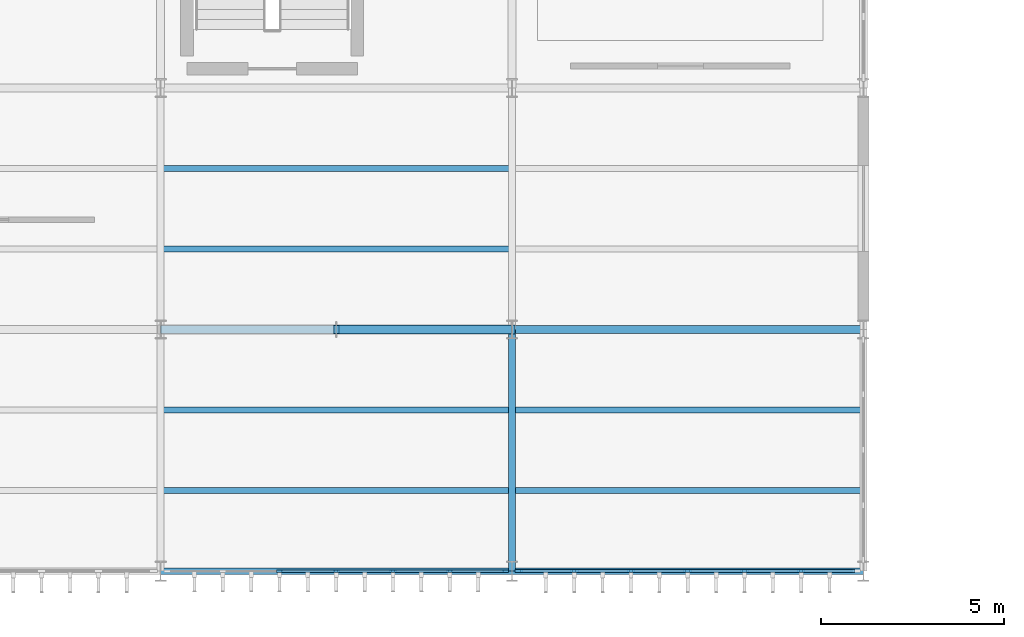
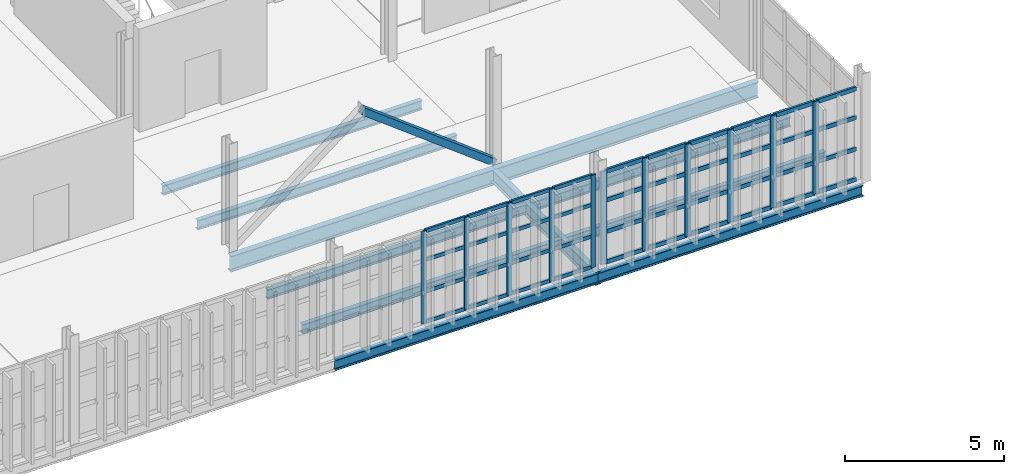
# One storey, part 8 of 52: 52 members, 11 beams, 2 elements without a shape of their own.
"""IFC4 building model written with IfcOpenShell, lengths in metres."""

from ifc_helpers import new_model, si_unit, direction, frame, origin, origin_2d, place, context, subcontext, project, spatial, rectangle, hollow_rectangle, i_section, extrude, material, layer, layer_set, material_profile, profile_set, type_object, element, aggregate, save


model = new_model("IFC4")

# Units and contexts
model_context = context("Model", 3, precision=1e-05, world=origin(), true_north=direction((0.0, 1.0)))
body_context = subcontext(model_context, "Body", "Model", "MODEL_VIEW")
ifc_project = project(units=[si_unit("LENGTHUNIT", "METRE"), si_unit("AREAUNIT", "SQUARE_METRE"), si_unit("VOLUMEUNIT", "CUBIC_METRE"), si_unit("PLANEANGLEUNIT", "RADIAN"), si_unit("MASSUNIT", "GRAM", prefix="KILO")], contexts=[model_context])

# Site, building, storey
site_placement = place(None, origin())
site = spatial("IfcSite", under=ifc_project, at=site_placement, CompositionType="ELEMENT")
building_placement = place(site_placement, origin())
building = spatial("IfcBuilding", under=site, at=building_placement, Name="Zarnetskaya Central Station", CompositionType="ELEMENT")
storey_placement = place(building_placement, frame((0.0, 0.0, 14.39990234375)))
storey = spatial("IfcBuildingStorey", under=building, at=storey_placement, Name="L03", CompositionType="ELEMENT", Elevation=14.39990234375)

# Beams
ifc_material_1 = material(Name="Steel S355", Category="steel")
ifc_material_profile_1 = material_profile(ifc_material_1, i_section(OverallWidth=0.169921875, OverallDepth=0.360107421875, WebThickness=0.008056640625, FlangeThickness=0.0126953125, FilletRadius=0.01806640625, at=origin_2d()), Name="IPE 360")
ifc_profile_set_1 = profile_set([ifc_material_profile_1], Name="Steel S355")
beam_type_1 = type_object("IfcBeamType", Name="BM-SEC-360", PredefinedType="BEAM", material=ifc_profile_set_1)
for number, where, z_axis, x_axis, name in (
    (1, (28.8798828125, 2.199951171875, -0.429931640625), (1.0, 0.0, 0.0), (0.0, 1.0, 0.0), "Secondary floor beam SEC-L03-Z1415-DE-12-1"),
    (2, (28.8798828125, 4.39990234375, -0.429931640625), (1.0, 0.0, 0.0), (0.0, 1.0, 0.0), "Secondary floor beam SEC-L03-Z1415-DE-12-2"),
    (3, (28.8798828125, 8.800048828125, -0.429931640625), (1.0, 0.0, 0.0), (0.0, 1.0, 0.0), "Secondary floor beam SEC-L03-Z1415-DE-23-1"),
    (4, (28.8798828125, 11.0, -0.429931640625), (1.0, 0.0, 0.0), (0.0, 1.0, 0.0), "Secondary floor beam SEC-L03-Z1415-DE-23-2"),
):
    element("IfcBeam", number, at=place(storey_placement, frame(where, z_axis=z_axis, x_axis=x_axis)), inside=storey, type_object=beam_type_1, Name=name, PredefinedType="BEAM", context=body_context, shape_type="SweptSolid", body=[
        extrude(i_section(OverallWidth=0.169921875, OverallDepth=0.360107421875, WebThickness=0.008056640625, FlangeThickness=0.0126953125, FilletRadius=0.01806640625, at=origin_2d()), origin(), (0.0, 0.0, 1.0), 9.440185546875),
    ])
for number, where, z_axis, x_axis, name in (
    (5, (38.47998046875, 2.199951171875, -0.429931640625), (1.0, 0.0, 0.0), (0.0, 1.0, 0.0), "Secondary floor beam SEC-L03-Z1415-EF-12-1"),
    (6, (38.47998046875, 4.39990234375, -0.429931640625), (1.0, 0.0, 0.0), (0.0, 1.0, 0.0), "Secondary floor beam SEC-L03-Z1415-EF-12-2"),
):
    element("IfcBeam", number, at=place(storey_placement, frame(where, z_axis=z_axis, x_axis=x_axis)), inside=storey, type_object=beam_type_1, Name=name, PredefinedType="BEAM", context=body_context, shape_type="SweptSolid", body=[
        extrude(i_section(OverallWidth=0.169921875, OverallDepth=0.360107421875, WebThickness=0.008056640625, FlangeThickness=0.0126953125, FilletRadius=0.01806640625, at=origin_2d()), origin(), (0.0, 0.0, 1.0), 9.43994140625),
    ])
ifc_material_profile_2 = material_profile(ifc_material_1, i_section(OverallWidth=0.179931640625, OverallDepth=0.39990234375, WebThickness=0.008544921875, FlangeThickness=0.013427734375, FilletRadius=0.02099609375, at=origin_2d()), Name="IPE 400")
ifc_profile_set_2 = profile_set([ifc_material_profile_2], Name="Steel S355")
beam_type_2 = type_object("IfcBeamType", Name="BM-SPN-V5", PredefinedType="SPANDREL", material=ifc_profile_set_2)
beam_1_placement = place(storey_placement, frame((28.800048828125, 0.0, -0.449951171875), z_axis=(1.0, 0.0, 0.0), x_axis=(0.0, 1.0, 0.0)))
element("IfcBeam", 7, at=beam_1_placement, inside=storey, type_object=beam_type_2, Name="Grid girder GX-L03-1-DE", PredefinedType="SPANDREL", context=body_context, shape_type="SweptSolid", body=[
    extrude(i_section(OverallWidth=0.179931640625, OverallDepth=0.39990234375, WebThickness=0.008544921875, FlangeThickness=0.013427734375, FilletRadius=0.02099609375, at=origin_2d()), origin(), (0.0, 0.0, 1.0), 9.599853515625),
])
beam_2_placement = place(storey_placement, frame((38.39990234375, 0.0, -0.449951171875), z_axis=(1.0, 0.0, 0.0), x_axis=(0.0, 1.0, 0.0)))
element("IfcBeam", 8, at=beam_2_placement, inside=storey, type_object=beam_type_2, Name="Grid girder GX-L03-1-EF", PredefinedType="SPANDREL", context=body_context, shape_type="SweptSolid", body=[
    extrude(i_section(OverallWidth=0.179931640625, OverallDepth=0.39990234375, WebThickness=0.008544921875, FlangeThickness=0.013427734375, FilletRadius=0.02099609375, at=origin_2d()), origin(), (0.0, 0.0, 1.0), 9.60009765625),
])

# Curtain wall, members
ifc_material_2 = material(Name="Low-E insulated glass", Category="glass")
ifc_layer_1 = layer(ifc_material_2, 0.159912109375, Name="Low-E insulated glass", Category="glass")
ifc_layer_set_1 = layer_set([ifc_layer_1], Name="Low-E insulated glass")
curtain_wall_type_1 = type_object("IfcCurtainWallType", Name="CW-SYS-06", PredefinedType="USERDEFINED", material=ifc_layer_set_1)
curtain_wall_1_placement = place(storey_placement, origin())
curtain_wall_1 = element("IfcCurtainWall", 9, at=curtain_wall_1_placement, inside=storey, type_object=curtain_wall_type_1, Name="Curtain wall CW-L03-043", ObjectType="CURTAIN WALL", PredefinedType="USERDEFINED")
ifc_material_3 = material(Name="Anodised aluminium", Category="aluminium")
ifc_material_profile_3 = material_profile(ifc_material_3, rectangle(XDim=0.070068359375, YDim=0.179931640625, at=origin_2d()), Name="ALU MULL 70x180")
ifc_profile_set_3 = profile_set([ifc_material_profile_3], Name="Anodised aluminium")
member_type_1 = type_object("IfcMemberType", Name="CW-MULL-180", PredefinedType="MULLION", material=ifc_profile_set_3)
member_1_placement = place(storey_placement, frame((38.215087890625, 0.0, 0.0), z_axis=(0.0, 0.0, 1.0), x_axis=(0.0, -1.0, 0.0)))
member_1 = element("IfcMember", 10, at=member_1_placement, type_object=member_type_1, Name="CW-02 mullion 1", PredefinedType="MULLION", context=body_context, shape_type="SweptSolid", body=[
    extrude(rectangle(XDim=0.070068359375, YDim=0.179931640625, at=origin_2d()), origin(), (0.0, 0.0, 1.0), 3.56005859375),
])
member_2_placement = place(storey_placement, frame((36.699951171875, 0.0, 0.0), z_axis=(0.0, 0.0, 1.0), x_axis=(0.0, -1.0, 0.0)))
member_2 = element("IfcMember", 11, at=member_2_placement, type_object=member_type_1, Name="CW-02 mullion 2", PredefinedType="MULLION", context=body_context, shape_type="SweptSolid", body=[
    extrude(rectangle(XDim=0.070068359375, YDim=0.179931640625, at=origin_2d()), origin(), (0.0, 0.0, 1.0), 3.56005859375),
])
member_3_placement = place(storey_placement, frame((35.14990234375, 0.0, 0.0), z_axis=(0.0, 0.0, 1.0), x_axis=(0.0, -1.0, 0.0)))
member_3 = element("IfcMember", 12, at=member_3_placement, type_object=member_type_1, Name="CW-02 mullion 3", PredefinedType="MULLION", context=body_context, shape_type="SweptSolid", body=[
    extrude(rectangle(XDim=0.070068359375, YDim=0.179931640625, at=origin_2d()), origin(), (0.0, 0.0, 1.0), 3.56005859375),
])
member_4_placement = place(storey_placement, frame((33.60009765625, 0.0, 0.0), z_axis=(0.0, 0.0, 1.0), x_axis=(0.0, -1.0, 0.0)))
member_4 = element("IfcMember", 13, at=member_4_placement, type_object=member_type_1, Name="CW-02 mullion 4", PredefinedType="MULLION", context=body_context, shape_type="SweptSolid", body=[
    extrude(rectangle(XDim=0.070068359375, YDim=0.179931640625, at=origin_2d()), origin(), (0.0, 0.0, 1.0), 3.56005859375),
])
member_5_placement = place(storey_placement, frame((32.050048828125, 0.0, 0.0), z_axis=(0.0, 0.0, 1.0), x_axis=(0.0, -1.0, 0.0)))
member_5 = element("IfcMember", 14, at=member_5_placement, type_object=member_type_1, Name="CW-02 mullion 5", PredefinedType="MULLION", context=body_context, shape_type="SweptSolid", body=[
    extrude(rectangle(XDim=0.070068359375, YDim=0.179931640625, at=origin_2d()), origin(), (0.0, 0.0, 1.0), 3.56005859375),
])

ifc_layer_2 = layer(ifc_material_2, 0.176025390625, Name="Low-E insulated glass", Category="glass")
ifc_layer_set_2 = layer_set([ifc_layer_2], Name="Low-E insulated glass")
curtain_wall_type_2 = type_object("IfcCurtainWallType", Name="CW-SYS-05", PredefinedType="USERDEFINED", material=ifc_layer_set_2)
curtain_wall_2_placement = place(storey_placement, origin())
curtain_wall_2 = element("IfcCurtainWall", 15, at=curtain_wall_2_placement, inside=storey, type_object=curtain_wall_type_2, Name="Curtain wall CW-L03-042", ObjectType="CURTAIN WALL", PredefinedType="USERDEFINED")
ifc_material_profile_4 = material_profile(ifc_material_3, rectangle(XDim=0.080078125, YDim=0.219970703125, at=origin_2d()), Name="ALU MULL 80x220")
ifc_profile_set_4 = profile_set([ifc_material_profile_4], Name="Anodised aluminium")
member_type_2 = type_object("IfcMemberType", Name="CW-MULL-220", PredefinedType="MULLION", material=ifc_profile_set_4)
member_6_placement = place(storey_placement, frame((46.300048828125, 0.0, 0.0), z_axis=(0.0, 0.0, 1.0), x_axis=(0.0, -1.0, 0.0)))
member_6 = element("IfcMember", 16, at=member_6_placement, type_object=member_type_2, Name="CW-14 mullion 2", PredefinedType="MULLION", context=body_context, shape_type="SweptSolid", body=[
    extrude(rectangle(XDim=0.080078125, YDim=0.219970703125, at=origin_2d()), origin(), (0.0, 0.0, 1.0), 3.56005859375),
])
member_7_placement = place(storey_placement, frame((44.75, 0.0, 0.0), z_axis=(0.0, 0.0, 1.0), x_axis=(0.0, -1.0, 0.0)))
member_7 = element("IfcMember", 17, at=member_7_placement, type_object=member_type_2, Name="CW-14 mullion 3", PredefinedType="MULLION", context=body_context, shape_type="SweptSolid", body=[
    extrude(rectangle(XDim=0.080078125, YDim=0.219970703125, at=origin_2d()), origin(), (0.0, 0.0, 1.0), 3.56005859375),
])
member_8_placement = place(storey_placement, frame((43.199951171875, 0.0, 0.0), z_axis=(0.0, 0.0, 1.0), x_axis=(0.0, -1.0, 0.0)))
member_8 = element("IfcMember", 18, at=member_8_placement, type_object=member_type_2, Name="CW-14 mullion 4", PredefinedType="MULLION", context=body_context, shape_type="SweptSolid", body=[
    extrude(rectangle(XDim=0.080078125, YDim=0.219970703125, at=origin_2d()), origin(), (0.0, 0.0, 1.0), 3.56005859375),
])
member_9_placement = place(storey_placement, frame((41.64990234375, 0.0, 0.0), z_axis=(0.0, 0.0, 1.0), x_axis=(0.0, -1.0, 0.0)))
member_9 = element("IfcMember", 19, at=member_9_placement, type_object=member_type_2, Name="CW-14 mullion 5", PredefinedType="MULLION", context=body_context, shape_type="SweptSolid", body=[
    extrude(rectangle(XDim=0.080078125, YDim=0.219970703125, at=origin_2d()), origin(), (0.0, 0.0, 1.0), 3.56005859375),
])
member_10_placement = place(storey_placement, frame((40.10009765625, 0.0, 0.0), z_axis=(0.0, 0.0, 1.0), x_axis=(0.0, -1.0, 0.0)))
member_10 = element("IfcMember", 20, at=member_10_placement, type_object=member_type_2, Name="CW-14 mullion 6", PredefinedType="MULLION", context=body_context, shape_type="SweptSolid", body=[
    extrude(rectangle(XDim=0.080078125, YDim=0.219970703125, at=origin_2d()), origin(), (0.0, 0.0, 1.0), 3.56005859375),
])
member_11_placement = place(storey_placement, frame((38.590087890625, 0.0, 0.0), z_axis=(0.0, 0.0, 1.0), x_axis=(0.0, -1.0, 0.0)))
member_11 = element("IfcMember", 21, at=member_11_placement, type_object=member_type_2, Name="CW-14 mullion 7", PredefinedType="MULLION", context=body_context, shape_type="SweptSolid", body=[
    extrude(rectangle(XDim=0.080078125, YDim=0.219970703125, at=origin_2d()), origin(), (0.0, 0.0, 1.0), 3.56005859375),
])

# Member
ifc_material_profile_5 = material_profile(ifc_material_3, rectangle(XDim=0.070068359375, YDim=0.139892578125, at=origin_2d()), Name="ALU TRAN 70x140")
ifc_profile_set_5 = profile_set([ifc_material_profile_5], Name="Anodised aluminium")
member_type_3 = type_object("IfcMemberType", Name="CW-TRAN-140", PredefinedType="USERDEFINED", material=ifc_profile_set_5)
member_12_placement = place(storey_placement, frame((38.179931640625, 0.0, 0.03515625), z_axis=(-1.0, 0.0, 0.0), x_axis=(0.0, -1.0, 0.0)))
member_12 = element("IfcMember", 22, at=member_12_placement, type_object=member_type_3, Name="CW-02 transom 1.1", ObjectType="TRANSOM", PredefinedType="USERDEFINED", context=body_context, shape_type="SweptSolid", body=[
    extrude(rectangle(XDim=0.070068359375, YDim=0.139892578125, at=origin_2d()), origin(), (0.0, 0.0, 1.0), 1.44482421875),
])

member_13_placement = place(storey_placement, frame((38.179931640625, 0.0, 1.210205078125), z_axis=(-1.0, 0.0, 0.0), x_axis=(0.0, -1.0, 0.0)))
member_13 = element("IfcMember", 23, at=member_13_placement, type_object=member_type_3, Name="CW-02 transom 1.2", ObjectType="TRANSOM", PredefinedType="USERDEFINED", context=body_context, shape_type="SweptSolid", body=[
    extrude(rectangle(XDim=0.070068359375, YDim=0.139892578125, at=origin_2d()), origin(), (0.0, 0.0, 1.0), 1.44482421875),
])

member_14_placement = place(storey_placement, frame((38.179931640625, 0.0, 2.421142578125), z_axis=(-1.0, 0.0, 0.0), x_axis=(0.0, -1.0, 0.0)))
member_14 = element("IfcMember", 24, at=member_14_placement, type_object=member_type_3, Name="CW-02 transom 1.3", ObjectType="TRANSOM", PredefinedType="USERDEFINED", context=body_context, shape_type="SweptSolid", body=[
    extrude(rectangle(XDim=0.070068359375, YDim=0.139892578125, at=origin_2d()), origin(), (0.0, 0.0, 1.0), 1.44482421875),
])

member_15_placement = place(storey_placement, frame((38.179931640625, 0.0, 3.525146484375), z_axis=(-1.0, 0.0, 0.0), x_axis=(0.0, -1.0, 0.0)))
member_15 = element("IfcMember", 25, at=member_15_placement, type_object=member_type_3, Name="CW-02 transom 1.4", ObjectType="TRANSOM", PredefinedType="USERDEFINED", context=body_context, shape_type="SweptSolid", body=[
    extrude(rectangle(XDim=0.070068359375, YDim=0.139892578125, at=origin_2d()), origin(), (0.0, 0.0, 1.0), 1.44482421875),
])

member_16_placement = place(storey_placement, frame((36.6650390625, 0.0, 0.03515625), z_axis=(-1.0, 0.0, 0.0), x_axis=(0.0, -1.0, 0.0)))
member_16 = element("IfcMember", 26, at=member_16_placement, type_object=member_type_3, Name="CW-02 transom 2.1", ObjectType="TRANSOM", PredefinedType="USERDEFINED", context=body_context, shape_type="SweptSolid", body=[
    extrude(rectangle(XDim=0.070068359375, YDim=0.139892578125, at=origin_2d()), origin(), (0.0, 0.0, 1.0), 1.47998046875),
])

member_17_placement = place(storey_placement, frame((36.6650390625, 0.0, 1.210205078125), z_axis=(-1.0, 0.0, 0.0), x_axis=(0.0, -1.0, 0.0)))
member_17 = element("IfcMember", 27, at=member_17_placement, type_object=member_type_3, Name="CW-02 transom 2.2", ObjectType="TRANSOM", PredefinedType="USERDEFINED", context=body_context, shape_type="SweptSolid", body=[
    extrude(rectangle(XDim=0.070068359375, YDim=0.139892578125, at=origin_2d()), origin(), (0.0, 0.0, 1.0), 1.47998046875),
])

member_18_placement = place(storey_placement, frame((36.6650390625, 0.0, 2.421142578125), z_axis=(-1.0, 0.0, 0.0), x_axis=(0.0, -1.0, 0.0)))
member_18 = element("IfcMember", 28, at=member_18_placement, type_object=member_type_3, Name="CW-02 transom 2.3", ObjectType="TRANSOM", PredefinedType="USERDEFINED", context=body_context, shape_type="SweptSolid", body=[
    extrude(rectangle(XDim=0.070068359375, YDim=0.139892578125, at=origin_2d()), origin(), (0.0, 0.0, 1.0), 1.47998046875),
])

member_19_placement = place(storey_placement, frame((36.6650390625, 0.0, 3.525146484375), z_axis=(-1.0, 0.0, 0.0), x_axis=(0.0, -1.0, 0.0)))
member_19 = element("IfcMember", 29, at=member_19_placement, type_object=member_type_3, Name="CW-02 transom 2.4", ObjectType="TRANSOM", PredefinedType="USERDEFINED", context=body_context, shape_type="SweptSolid", body=[
    extrude(rectangle(XDim=0.070068359375, YDim=0.139892578125, at=origin_2d()), origin(), (0.0, 0.0, 1.0), 1.47998046875),
])

member_20_placement = place(storey_placement, frame((35.114990234375, 0.0, 0.03515625), z_axis=(-1.0, 0.0, 0.0), x_axis=(0.0, -1.0, 0.0)))
member_20 = element("IfcMember", 30, at=member_20_placement, type_object=member_type_3, Name="CW-02 transom 3.1", ObjectType="TRANSOM", PredefinedType="USERDEFINED", context=body_context, shape_type="SweptSolid", body=[
    extrude(rectangle(XDim=0.070068359375, YDim=0.139892578125, at=origin_2d()), origin(), (0.0, 0.0, 1.0), 1.47998046875),
])

member_21_placement = place(storey_placement, frame((35.114990234375, 0.0, 1.210205078125), z_axis=(-1.0, 0.0, 0.0), x_axis=(0.0, -1.0, 0.0)))
member_21 = element("IfcMember", 31, at=member_21_placement, type_object=member_type_3, Name="CW-02 transom 3.2", ObjectType="TRANSOM", PredefinedType="USERDEFINED", context=body_context, shape_type="SweptSolid", body=[
    extrude(rectangle(XDim=0.070068359375, YDim=0.139892578125, at=origin_2d()), origin(), (0.0, 0.0, 1.0), 1.47998046875),
])

member_22_placement = place(storey_placement, frame((35.114990234375, 0.0, 2.421142578125), z_axis=(-1.0, 0.0, 0.0), x_axis=(0.0, -1.0, 0.0)))
member_22 = element("IfcMember", 32, at=member_22_placement, type_object=member_type_3, Name="CW-02 transom 3.3", ObjectType="TRANSOM", PredefinedType="USERDEFINED", context=body_context, shape_type="SweptSolid", body=[
    extrude(rectangle(XDim=0.070068359375, YDim=0.139892578125, at=origin_2d()), origin(), (0.0, 0.0, 1.0), 1.47998046875),
])

member_23_placement = place(storey_placement, frame((35.114990234375, 0.0, 3.525146484375), z_axis=(-1.0, 0.0, 0.0), x_axis=(0.0, -1.0, 0.0)))
member_23 = element("IfcMember", 33, at=member_23_placement, type_object=member_type_3, Name="CW-02 transom 3.4", ObjectType="TRANSOM", PredefinedType="USERDEFINED", context=body_context, shape_type="SweptSolid", body=[
    extrude(rectangle(XDim=0.070068359375, YDim=0.139892578125, at=origin_2d()), origin(), (0.0, 0.0, 1.0), 1.47998046875),
])

member_24_placement = place(storey_placement, frame((33.56494140625, 0.0, 0.03515625), z_axis=(-1.0, 0.0, 0.0), x_axis=(0.0, -1.0, 0.0)))
member_24 = element("IfcMember", 34, at=member_24_placement, type_object=member_type_3, Name="CW-02 transom 4.1", ObjectType="TRANSOM", PredefinedType="USERDEFINED", context=body_context, shape_type="SweptSolid", body=[
    extrude(rectangle(XDim=0.070068359375, YDim=0.139892578125, at=origin_2d()), origin(), (0.0, 0.0, 1.0), 1.47998046875),
])

member_25_placement = place(storey_placement, frame((33.56494140625, 0.0, 1.210205078125), z_axis=(-1.0, 0.0, 0.0), x_axis=(0.0, -1.0, 0.0)))
member_25 = element("IfcMember", 35, at=member_25_placement, type_object=member_type_3, Name="CW-02 transom 4.2", ObjectType="TRANSOM", PredefinedType="USERDEFINED", context=body_context, shape_type="SweptSolid", body=[
    extrude(rectangle(XDim=0.070068359375, YDim=0.139892578125, at=origin_2d()), origin(), (0.0, 0.0, 1.0), 1.47998046875),
])

member_26_placement = place(storey_placement, frame((33.56494140625, 0.0, 2.421142578125), z_axis=(-1.0, 0.0, 0.0), x_axis=(0.0, -1.0, 0.0)))
member_26 = element("IfcMember", 36, at=member_26_placement, type_object=member_type_3, Name="CW-02 transom 4.3", ObjectType="TRANSOM", PredefinedType="USERDEFINED", context=body_context, shape_type="SweptSolid", body=[
    extrude(rectangle(XDim=0.070068359375, YDim=0.139892578125, at=origin_2d()), origin(), (0.0, 0.0, 1.0), 1.47998046875),
])

member_27_placement = place(storey_placement, frame((33.56494140625, 0.0, 3.525146484375), z_axis=(-1.0, 0.0, 0.0), x_axis=(0.0, -1.0, 0.0)))
member_27 = element("IfcMember", 37, at=member_27_placement, type_object=member_type_3, Name="CW-02 transom 4.4", ObjectType="TRANSOM", PredefinedType="USERDEFINED", context=body_context, shape_type="SweptSolid", body=[
    extrude(rectangle(XDim=0.070068359375, YDim=0.139892578125, at=origin_2d()), origin(), (0.0, 0.0, 1.0), 1.47998046875),
])

aggregate(curtain_wall_1, [member_1, member_2, member_3, member_4, member_5, member_12, member_13, member_14, member_15, member_16, member_17, member_18, member_19, member_20, member_21, member_22, member_23, member_24, member_25, member_26, member_27])

ifc_material_profile_6 = material_profile(ifc_material_3, rectangle(XDim=0.080078125, YDim=0.159912109375, at=origin_2d()), Name="ALU TRAN 80x160")
ifc_profile_set_6 = profile_set([ifc_material_profile_6], Name="Anodised aluminium")
member_type_4 = type_object("IfcMemberType", Name="CW-TRAN-160", PredefinedType="USERDEFINED", material=ifc_profile_set_6)
member_28_placement = place(storey_placement, frame((47.77001953125, 0.0, 0.0400390625), z_axis=(-1.0, 0.0, 0.0), x_axis=(0.0, -1.0, 0.0)))
member_28 = element("IfcMember", 38, at=member_28_placement, type_object=member_type_4, Name="CW-14 transom 1.1", ObjectType="TRANSOM", PredefinedType="USERDEFINED", context=body_context, shape_type="SweptSolid", body=[
    extrude(rectangle(XDim=0.080078125, YDim=0.159912109375, at=origin_2d()), origin(), (0.0, 0.0, 1.0), 1.429931640625),
])

member_29_placement = place(storey_placement, frame((47.77001953125, 0.0, 1.210205078125), z_axis=(-1.0, 0.0, 0.0), x_axis=(0.0, -1.0, 0.0)))
member_29 = element("IfcMember", 39, at=member_29_placement, type_object=member_type_4, Name="CW-14 transom 1.2", ObjectType="TRANSOM", PredefinedType="USERDEFINED", context=body_context, shape_type="SweptSolid", body=[
    extrude(rectangle(XDim=0.080078125, YDim=0.159912109375, at=origin_2d()), origin(), (0.0, 0.0, 1.0), 1.429931640625),
])

member_30_placement = place(storey_placement, frame((47.77001953125, 0.0, 2.421142578125), z_axis=(-1.0, 0.0, 0.0), x_axis=(0.0, -1.0, 0.0)))
member_30 = element("IfcMember", 40, at=member_30_placement, type_object=member_type_4, Name="CW-14 transom 1.3", ObjectType="TRANSOM", PredefinedType="USERDEFINED", context=body_context, shape_type="SweptSolid", body=[
    extrude(rectangle(XDim=0.080078125, YDim=0.159912109375, at=origin_2d()), origin(), (0.0, 0.0, 1.0), 1.429931640625),
])

member_31_placement = place(storey_placement, frame((47.77001953125, 0.0, 3.52001953125), z_axis=(-1.0, 0.0, 0.0), x_axis=(0.0, -1.0, 0.0)))
member_31 = element("IfcMember", 41, at=member_31_placement, type_object=member_type_4, Name="CW-14 transom 1.4", ObjectType="TRANSOM", PredefinedType="USERDEFINED", context=body_context, shape_type="SweptSolid", body=[
    extrude(rectangle(XDim=0.080078125, YDim=0.159912109375, at=origin_2d()), origin(), (0.0, 0.0, 1.0), 1.429931640625),
])

member_32_placement = place(storey_placement, frame((46.260009765625, 0.0, 0.0400390625), z_axis=(-1.0, 0.0, 0.0), x_axis=(0.0, -1.0, 0.0)))
member_32 = element("IfcMember", 42, at=member_32_placement, type_object=member_type_4, Name="CW-14 transom 2.1", ObjectType="TRANSOM", PredefinedType="USERDEFINED", context=body_context, shape_type="SweptSolid", body=[
    extrude(rectangle(XDim=0.080078125, YDim=0.159912109375, at=origin_2d()), origin(), (0.0, 0.0, 1.0), 1.469970703125),
])

member_33_placement = place(storey_placement, frame((46.260009765625, 0.0, 1.210205078125), z_axis=(-1.0, 0.0, 0.0), x_axis=(0.0, -1.0, 0.0)))
member_33 = element("IfcMember", 43, at=member_33_placement, type_object=member_type_4, Name="CW-14 transom 2.2", ObjectType="TRANSOM", PredefinedType="USERDEFINED", context=body_context, shape_type="SweptSolid", body=[
    extrude(rectangle(XDim=0.080078125, YDim=0.159912109375, at=origin_2d()), origin(), (0.0, 0.0, 1.0), 1.469970703125),
])

member_34_placement = place(storey_placement, frame((46.260009765625, 0.0, 2.421142578125), z_axis=(-1.0, 0.0, 0.0), x_axis=(0.0, -1.0, 0.0)))
member_34 = element("IfcMember", 44, at=member_34_placement, type_object=member_type_4, Name="CW-14 transom 2.3", ObjectType="TRANSOM", PredefinedType="USERDEFINED", context=body_context, shape_type="SweptSolid", body=[
    extrude(rectangle(XDim=0.080078125, YDim=0.159912109375, at=origin_2d()), origin(), (0.0, 0.0, 1.0), 1.469970703125),
])

member_35_placement = place(storey_placement, frame((46.260009765625, 0.0, 3.52001953125), z_axis=(-1.0, 0.0, 0.0), x_axis=(0.0, -1.0, 0.0)))
member_35 = element("IfcMember", 45, at=member_35_placement, type_object=member_type_4, Name="CW-14 transom 2.4", ObjectType="TRANSOM", PredefinedType="USERDEFINED", context=body_context, shape_type="SweptSolid", body=[
    extrude(rectangle(XDim=0.080078125, YDim=0.159912109375, at=origin_2d()), origin(), (0.0, 0.0, 1.0), 1.469970703125),
])

member_36_placement = place(storey_placement, frame((44.7099609375, 0.0, 0.0400390625), z_axis=(-1.0, 0.0, 0.0), x_axis=(0.0, -1.0, 0.0)))
member_36 = element("IfcMember", 46, at=member_36_placement, type_object=member_type_4, Name="CW-14 transom 3.1", ObjectType="TRANSOM", PredefinedType="USERDEFINED", context=body_context, shape_type="SweptSolid", body=[
    extrude(rectangle(XDim=0.080078125, YDim=0.159912109375, at=origin_2d()), origin(), (0.0, 0.0, 1.0), 1.469970703125),
])

member_37_placement = place(storey_placement, frame((44.7099609375, 0.0, 1.210205078125), z_axis=(-1.0, 0.0, 0.0), x_axis=(0.0, -1.0, 0.0)))
member_37 = element("IfcMember", 47, at=member_37_placement, type_object=member_type_4, Name="CW-14 transom 3.2", ObjectType="TRANSOM", PredefinedType="USERDEFINED", context=body_context, shape_type="SweptSolid", body=[
    extrude(rectangle(XDim=0.080078125, YDim=0.159912109375, at=origin_2d()), origin(), (0.0, 0.0, 1.0), 1.469970703125),
])

member_38_placement = place(storey_placement, frame((44.7099609375, 0.0, 2.421142578125), z_axis=(-1.0, 0.0, 0.0), x_axis=(0.0, -1.0, 0.0)))
member_38 = element("IfcMember", 48, at=member_38_placement, type_object=member_type_4, Name="CW-14 transom 3.3", ObjectType="TRANSOM", PredefinedType="USERDEFINED", context=body_context, shape_type="SweptSolid", body=[
    extrude(rectangle(XDim=0.080078125, YDim=0.159912109375, at=origin_2d()), origin(), (0.0, 0.0, 1.0), 1.469970703125),
])

member_39_placement = place(storey_placement, frame((44.7099609375, 0.0, 3.52001953125), z_axis=(-1.0, 0.0, 0.0), x_axis=(0.0, -1.0, 0.0)))
member_39 = element("IfcMember", 49, at=member_39_placement, type_object=member_type_4, Name="CW-14 transom 3.4", ObjectType="TRANSOM", PredefinedType="USERDEFINED", context=body_context, shape_type="SweptSolid", body=[
    extrude(rectangle(XDim=0.080078125, YDim=0.159912109375, at=origin_2d()), origin(), (0.0, 0.0, 1.0), 1.469970703125),
])

member_40_placement = place(storey_placement, frame((43.159912109375, 0.0, 0.0400390625), z_axis=(-1.0, 0.0, 0.0), x_axis=(0.0, -1.0, 0.0)))
member_40 = element("IfcMember", 50, at=member_40_placement, type_object=member_type_4, Name="CW-14 transom 4.1", ObjectType="TRANSOM", PredefinedType="USERDEFINED", context=body_context, shape_type="SweptSolid", body=[
    extrude(rectangle(XDim=0.080078125, YDim=0.159912109375, at=origin_2d()), origin(), (0.0, 0.0, 1.0), 1.469970703125),
])

member_41_placement = place(storey_placement, frame((43.159912109375, 0.0, 1.210205078125), z_axis=(-1.0, 0.0, 0.0), x_axis=(0.0, -1.0, 0.0)))
member_41 = element("IfcMember", 51, at=member_41_placement, type_object=member_type_4, Name="CW-14 transom 4.2", ObjectType="TRANSOM", PredefinedType="USERDEFINED", context=body_context, shape_type="SweptSolid", body=[
    extrude(rectangle(XDim=0.080078125, YDim=0.159912109375, at=origin_2d()), origin(), (0.0, 0.0, 1.0), 1.469970703125),
])

member_42_placement = place(storey_placement, frame((43.159912109375, 0.0, 2.421142578125), z_axis=(-1.0, 0.0, 0.0), x_axis=(0.0, -1.0, 0.0)))
member_42 = element("IfcMember", 52, at=member_42_placement, type_object=member_type_4, Name="CW-14 transom 4.3", ObjectType="TRANSOM", PredefinedType="USERDEFINED", context=body_context, shape_type="SweptSolid", body=[
    extrude(rectangle(XDim=0.080078125, YDim=0.159912109375, at=origin_2d()), origin(), (0.0, 0.0, 1.0), 1.469970703125),
])

member_43_placement = place(storey_placement, frame((43.159912109375, 0.0, 3.52001953125), z_axis=(-1.0, 0.0, 0.0), x_axis=(0.0, -1.0, 0.0)))
member_43 = element("IfcMember", 53, at=member_43_placement, type_object=member_type_4, Name="CW-14 transom 4.4", ObjectType="TRANSOM", PredefinedType="USERDEFINED", context=body_context, shape_type="SweptSolid", body=[
    extrude(rectangle(XDim=0.080078125, YDim=0.159912109375, at=origin_2d()), origin(), (0.0, 0.0, 1.0), 1.469970703125),
])

member_44_placement = place(storey_placement, frame((41.610107421875, 0.0, 0.0400390625), z_axis=(-1.0, 0.0, 0.0), x_axis=(0.0, -1.0, 0.0)))
member_44 = element("IfcMember", 54, at=member_44_placement, type_object=member_type_4, Name="CW-14 transom 5.1", ObjectType="TRANSOM", PredefinedType="USERDEFINED", context=body_context, shape_type="SweptSolid", body=[
    extrude(rectangle(XDim=0.080078125, YDim=0.159912109375, at=origin_2d()), origin(), (0.0, 0.0, 1.0), 1.47021484375),
])

member_45_placement = place(storey_placement, frame((41.610107421875, 0.0, 1.210205078125), z_axis=(-1.0, 0.0, 0.0), x_axis=(0.0, -1.0, 0.0)))
member_45 = element("IfcMember", 55, at=member_45_placement, type_object=member_type_4, Name="CW-14 transom 5.2", ObjectType="TRANSOM", PredefinedType="USERDEFINED", context=body_context, shape_type="SweptSolid", body=[
    extrude(rectangle(XDim=0.080078125, YDim=0.159912109375, at=origin_2d()), origin(), (0.0, 0.0, 1.0), 1.47021484375),
])

member_46_placement = place(storey_placement, frame((41.610107421875, 0.0, 2.421142578125), z_axis=(-1.0, 0.0, 0.0), x_axis=(0.0, -1.0, 0.0)))
member_46 = element("IfcMember", 56, at=member_46_placement, type_object=member_type_4, Name="CW-14 transom 5.3", ObjectType="TRANSOM", PredefinedType="USERDEFINED", context=body_context, shape_type="SweptSolid", body=[
    extrude(rectangle(XDim=0.080078125, YDim=0.159912109375, at=origin_2d()), origin(), (0.0, 0.0, 1.0), 1.47021484375),
])

member_47_placement = place(storey_placement, frame((41.610107421875, 0.0, 3.52001953125), z_axis=(-1.0, 0.0, 0.0), x_axis=(0.0, -1.0, 0.0)))
member_47 = element("IfcMember", 57, at=member_47_placement, type_object=member_type_4, Name="CW-14 transom 5.4", ObjectType="TRANSOM", PredefinedType="USERDEFINED", context=body_context, shape_type="SweptSolid", body=[
    extrude(rectangle(XDim=0.080078125, YDim=0.159912109375, at=origin_2d()), origin(), (0.0, 0.0, 1.0), 1.47021484375),
])

member_48_placement = place(storey_placement, frame((40.06005859375, 0.0, 0.0400390625), z_axis=(-1.0, 0.0, 0.0), x_axis=(0.0, -1.0, 0.0)))
member_48 = element("IfcMember", 58, at=member_48_placement, type_object=member_type_4, Name="CW-14 transom 6.1", ObjectType="TRANSOM", PredefinedType="USERDEFINED", context=body_context, shape_type="SweptSolid", body=[
    extrude(rectangle(XDim=0.080078125, YDim=0.159912109375, at=origin_2d()), origin(), (0.0, 0.0, 1.0), 1.43017578125),
])

member_49_placement = place(storey_placement, frame((40.06005859375, 0.0, 1.210205078125), z_axis=(-1.0, 0.0, 0.0), x_axis=(0.0, -1.0, 0.0)))
member_49 = element("IfcMember", 59, at=member_49_placement, type_object=member_type_4, Name="CW-14 transom 6.2", ObjectType="TRANSOM", PredefinedType="USERDEFINED", context=body_context, shape_type="SweptSolid", body=[
    extrude(rectangle(XDim=0.080078125, YDim=0.159912109375, at=origin_2d()), origin(), (0.0, 0.0, 1.0), 1.43017578125),
])

member_50_placement = place(storey_placement, frame((40.06005859375, 0.0, 2.421142578125), z_axis=(-1.0, 0.0, 0.0), x_axis=(0.0, -1.0, 0.0)))
member_50 = element("IfcMember", 60, at=member_50_placement, type_object=member_type_4, Name="CW-14 transom 6.3", ObjectType="TRANSOM", PredefinedType="USERDEFINED", context=body_context, shape_type="SweptSolid", body=[
    extrude(rectangle(XDim=0.080078125, YDim=0.159912109375, at=origin_2d()), origin(), (0.0, 0.0, 1.0), 1.43017578125),
])

member_51_placement = place(storey_placement, frame((40.06005859375, 0.0, 3.52001953125), z_axis=(-1.0, 0.0, 0.0), x_axis=(0.0, -1.0, 0.0)))
member_51 = element("IfcMember", 61, at=member_51_placement, type_object=member_type_4, Name="CW-14 transom 6.4", ObjectType="TRANSOM", PredefinedType="USERDEFINED", context=body_context, shape_type="SweptSolid", body=[
    extrude(rectangle(XDim=0.080078125, YDim=0.159912109375, at=origin_2d()), origin(), (0.0, 0.0, 1.0), 1.43017578125),
])

aggregate(curtain_wall_2, [member_6, member_7, member_8, member_9, member_10, member_11, member_28, member_29, member_30, member_31, member_32, member_33, member_34, member_35, member_36, member_37, member_38, member_39, member_40, member_41, member_42, member_43, member_44, member_45, member_46, member_47, member_48, member_49, member_50, member_51])

# Beams
ifc_material_profile_7 = material_profile(ifc_material_1, i_section(OverallWidth=0.199951171875, OverallDepth=0.5, WebThickness=0.01025390625, FlangeThickness=0.01611328125, FilletRadius=0.02099609375, at=origin_2d()), Name="IPE 500")
ifc_profile_set_7 = profile_set([ifc_material_profile_7], Name="Steel S355")
beam_type_3 = type_object("IfcBeamType", Name="GD-FLR-500", PredefinedType="USERDEFINED", material=ifc_profile_set_7)
beam_3_placement = place(storey_placement, frame((38.39990234375, 0.0, -0.5), z_axis=(0.0, 1.0, 0.0), x_axis=(-1.0, 0.0, 0.0)))
element("IfcBeam", 62, at=beam_3_placement, inside=storey, type_object=beam_type_3, Name="Grid girder GY-L03-E-12", ObjectType="GIRDER", PredefinedType="USERDEFINED", context=body_context, shape_type="SweptSolid", body=[
    extrude(i_section(OverallWidth=0.199951171875, OverallDepth=0.5, WebThickness=0.01025390625, FlangeThickness=0.01611328125, FilletRadius=0.02099609375, at=origin_2d()), origin(), (0.0, 0.0, 1.0), 6.60009765625),
])
ifc_material_profile_8 = material_profile(ifc_material_1, i_section(OverallWidth=0.219970703125, OverallDepth=0.60009765625, WebThickness=0.011962890625, FlangeThickness=0.01904296875, FilletRadius=0.02392578125, at=origin_2d()), Name="IPE 600")
ifc_profile_set_8 = profile_set([ifc_material_profile_8], Name="Steel S355")
beam_type_4 = type_object("IfcBeamType", Name="GD-FLR-600", PredefinedType="USERDEFINED", material=ifc_profile_set_8)
beam_4_placement = place(storey_placement, frame((28.800048828125, 6.60009765625, -0.5498046875), z_axis=(1.0, 0.0, 0.0), x_axis=(0.0, 1.0, 0.0)))
element("IfcBeam", 63, at=beam_4_placement, inside=storey, type_object=beam_type_4, Name="Grid girder GX-L03-2-DE", ObjectType="GIRDER", PredefinedType="USERDEFINED", context=body_context, shape_type="SweptSolid", body=[
    extrude(i_section(OverallWidth=0.219970703125, OverallDepth=0.60009765625, WebThickness=0.011962890625, FlangeThickness=0.01904296875, FilletRadius=0.02392578125, at=origin_2d()), origin(), (0.0, 0.0, 1.0), 9.599853515625),
])
beam_5_placement = place(storey_placement, frame((38.39990234375, 6.60009765625, -0.5498046875), z_axis=(1.0, 0.0, 0.0), x_axis=(0.0, 1.0, 0.0)))
element("IfcBeam", 64, at=beam_5_placement, inside=storey, type_object=beam_type_4, Name="Grid girder GX-L03-2-EF", ObjectType="GIRDER", PredefinedType="USERDEFINED", context=body_context, shape_type="SweptSolid", body=[
    extrude(i_section(OverallWidth=0.219970703125, OverallDepth=0.60009765625, WebThickness=0.011962890625, FlangeThickness=0.01904296875, FilletRadius=0.02392578125, at=origin_2d()), origin(), (0.0, 0.0, 1.0), 9.60009765625),
])

# Member
ifc_material_profile_9 = material_profile(ifc_material_1, hollow_rectangle(XDim=0.25, YDim=0.25, WallThickness=0.012451171875, at=origin_2d()), Name="SHS 250x250x12.5")
ifc_profile_set_9 = profile_set([ifc_material_profile_9], Name="Steel S355")
member_type_5 = type_object("IfcMemberType", Name="MB-CBF-BRACE", PredefinedType="BRACE", material=ifc_profile_set_9)
member_52_placement = place(storey_placement, frame((38.39990234375, 6.60009765625, 0.0), z_axis=(-0.795179106679, 0.0, 0.606374627026), x_axis=(0.0, -1.0, 0.0)))
element("IfcMember", 65, at=member_52_placement, inside=storey, type_object=member_type_5, Name="Concentrically braced frame chevron 2R L03", PredefinedType="BRACE", context=body_context, shape_type="SweptSolid", body=[
    extrude(hollow_rectangle(XDim=0.25, YDim=0.25, WallThickness=0.012451171875, at=origin_2d()), origin(), (0.0, 0.0, 1.0), 6.0361328125),
])

save(model, "model.ifc")
